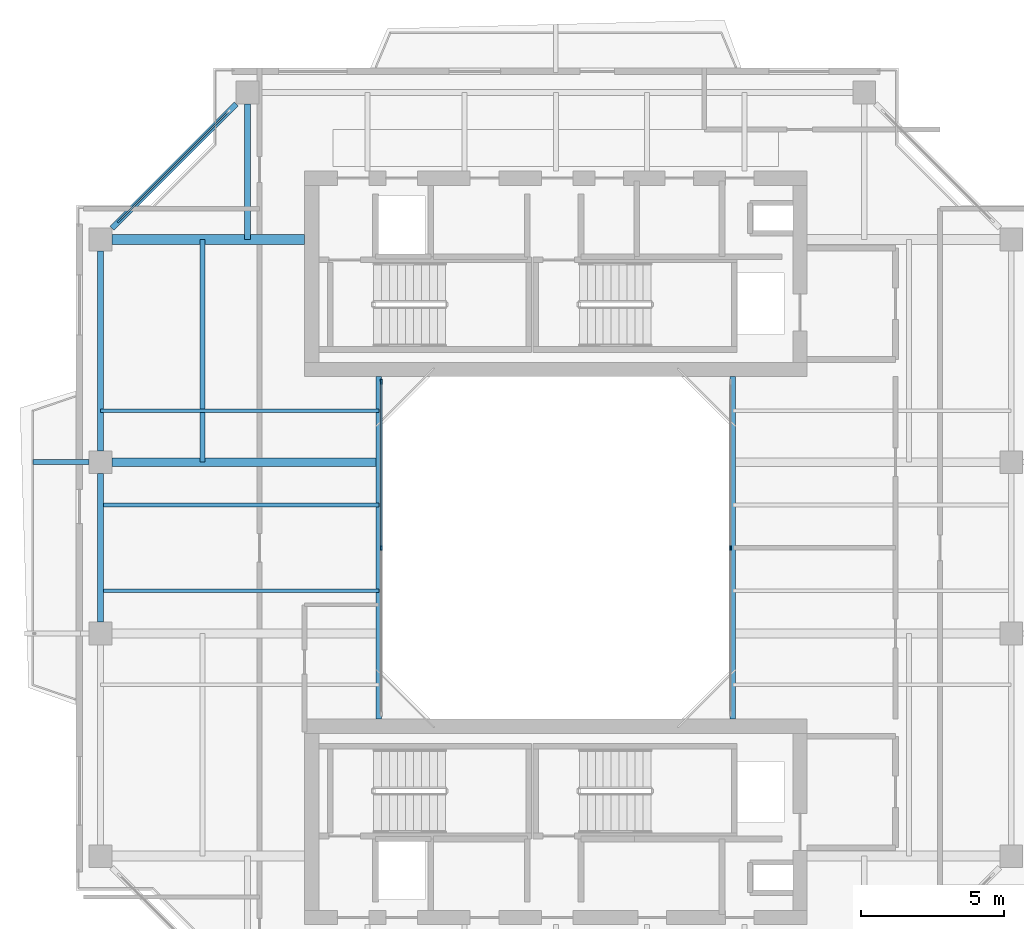
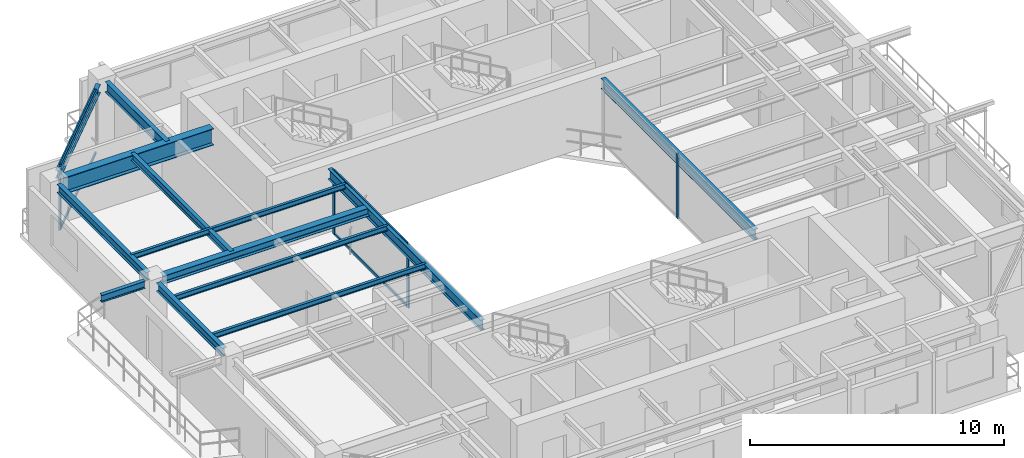
# One storey, part 5 of 15: 13 beams, 8 members, 3 elements without a shape of their own.
"""IFC4 building model written with IfcOpenShell, lengths in metres."""

from ifc_helpers import new_model, si_unit, direction, frame, origin, origin_2d, place, context, subcontext, project, spatial, rectangle, i_section, extrude, source, transform, mapped, material, layer, layer_set, material_profile, profile_set, type_object, element, aggregate, save


model = new_model("IFC4")

# Units and contexts
model_context = context("Model", 3, precision=1e-05, world=origin(), true_north=direction((0.0, 1.0)))
body_context = subcontext(model_context, "Body", "Model", "MODEL_VIEW")
ifc_project = project(units=[si_unit("LENGTHUNIT", "METRE"), si_unit("AREAUNIT", "SQUARE_METRE"), si_unit("VOLUMEUNIT", "CUBIC_METRE"), si_unit("PLANEANGLEUNIT", "RADIAN"), si_unit("MASSUNIT", "GRAM", prefix="KILO"), si_unit("THERMODYNAMICTEMPERATUREUNIT", "KELVIN"), si_unit("POWERUNIT", "WATT")], contexts=[model_context])

# Site, building, storey
site_placement = place(None, origin())
site = spatial("IfcSite", under=ifc_project, at=site_placement, CompositionType="ELEMENT")
building_placement = place(site_placement, origin())
building = spatial("IfcBuilding", under=site, at=building_placement, Name="Qiaomeng Ring Towers", CompositionType="ELEMENT")
storey_placement = place(building_placement, frame((0.0, 0.0, 226.25)))
storey = spatial("IfcBuildingStorey", under=building, at=storey_placement, Name="L66", CompositionType="ELEMENT", Elevation=226.25)

# Beams
ifc_material_1 = material(Name="Steel Q355B", Category="steel")
ifc_material_profile_1 = material_profile(ifc_material_1, i_section(OverallWidth=0.199951171875, OverallDepth=0.5, WebThickness=0.010009765625, FlangeThickness=0.01611328125, FilletRadius=0.02001953125, at=origin_2d()), Name="HN 500x200x10x16")
ifc_profile_set_1 = profile_set([ifc_material_profile_1], Name="Steel Q355B")
beam_type_1 = type_object("IfcBeamType", Name="STR-BM-HN500", PredefinedType="BEAM", material=ifc_profile_set_1)
shared_shape_1 = source(origin(), body_context, "Body", "SweptSolid", [
    extrude(i_section(OverallWidth=0.199951171875, OverallDepth=0.5, WebThickness=0.010009765625, FlangeThickness=0.01611328125, FilletRadius=0.02001953125, at=origin_2d()), origin(), (0.0, 0.0, 1.0), 12.0),
])
for number, where, z_axis, x_axis, name in (
    (1, (12.800048828125, 17.0, 2.820068359375), (0.0, 1.0, 0.0), (-1.0, 0.0, 0.0), "L66 beam STR-BM-L66-WELL-W"),
    (2, (25.199951171875, 17.0, 2.820068359375), (0.0, 1.0, 0.0), (-1.0, 0.0, 0.0), "L66 beam STR-BM-L66-WELL-E"),
):
    element("IfcBeam", number, at=place(storey_placement, frame(where, z_axis=z_axis, x_axis=x_axis)), inside=storey, type_object=beam_type_1, Name=name, PredefinedType="BEAM", context=body_context, shape_type="MappedRepresentation", body=[
        mapped(shared_shape_1, transform((0.0, 0.0, 0.0), x_axis=(1.0, 0.0, 0.0), y_axis=(0.0, 1.0, 0.0), z_axis=(0.0, 0.0, 1.0), scale=1.0)),
    ])
ifc_material_profile_2 = material_profile(ifc_material_1, i_section(OverallWidth=0.198974609375, OverallDepth=0.39599609375, WebThickness=0.007080078125, FlangeThickness=0.010986328125, FilletRadius=0.01611328125, at=origin_2d()), Name="HN 396x199x7x11")
ifc_profile_set_2 = profile_set([ifc_material_profile_2], Name="Steel Q355B")
beam_type_2 = type_object("IfcBeamType", Name="STR-BM-HN396", PredefinedType="SPANDREL", material=ifc_profile_set_2)
shared_shape_2 = source(origin(), body_context, "Body", "SweptSolid", [
    extrude(i_section(OverallWidth=0.198974609375, OverallDepth=0.39599609375, WebThickness=0.007080078125, FlangeThickness=0.010986328125, FilletRadius=0.01611328125, at=origin_2d()), origin(), (0.0, 0.0, 1.0), 6.154052734375),
])
beam_1_placement = place(storey_placement, frame((7.80078125, 38.55078125, 2.8720703125), z_axis=(-0.707106781187, -0.707106781187, 0.0), x_axis=(0.707106781187, -0.707106781187, 0.0)))
element("IfcBeam", 3, at=beam_1_placement, inside=storey, type_object=beam_type_2, Name="L66 beam STR-SP-L66-T1-N1-W4", PredefinedType="SPANDREL", context=body_context, shape_type="MappedRepresentation", body=[
    mapped(shared_shape_2, transform((0.0, 0.0, 0.0), x_axis=(1.0, 0.0, 0.0), y_axis=(0.0, 1.0, 0.0), z_axis=(0.0, 0.0, 1.0), scale=1.0)),
])
shared_shape_3 = source(origin(), body_context, "Body", "SweptSolid", [
    extrude(i_section(OverallWidth=0.198974609375, OverallDepth=0.39599609375, WebThickness=0.007080078125, FlangeThickness=0.010986328125, FilletRadius=0.01611328125, at=origin_2d()), origin(), (0.0, 0.0, 1.0), 7.001953125),
])
beam_2_placement = place(storey_placement, frame((3.050048828125, 33.40087890625, 2.8720703125), z_axis=(0.0, -1.0, 0.0), x_axis=(1.0, 0.0, 0.0)))
element("IfcBeam", 4, at=beam_2_placement, inside=storey, type_object=beam_type_2, Name="L66 beam STR-SP-L66-T1-W4-W3", PredefinedType="SPANDREL", context=body_context, shape_type="MappedRepresentation", body=[
    mapped(shared_shape_3, transform((0.0, 0.0, 0.0), x_axis=(1.0, 0.0, 0.0), y_axis=(0.0, 1.0, 0.0), z_axis=(0.0, 0.0, 1.0), scale=1.0)),
])
shared_shape_4 = source(origin(), body_context, "Body", "SweptSolid", [
    extrude(i_section(OverallWidth=0.198974609375, OverallDepth=0.39599609375, WebThickness=0.007080078125, FlangeThickness=0.010986328125, FilletRadius=0.01611328125, at=origin_2d()), origin(), (0.0, 0.0, 1.0), 5.2021484375),
])
beam_3_placement = place(storey_placement, frame((3.050048828125, 25.60107421875, 2.8720703125), z_axis=(0.0, -1.0, 0.0), x_axis=(1.0, 0.0, 0.0)))
element("IfcBeam", 5, at=beam_3_placement, inside=storey, type_object=beam_type_2, Name="L66 beam STR-SP-L66-T1-W3-W2", PredefinedType="SPANDREL", context=body_context, shape_type="MappedRepresentation", body=[
    mapped(shared_shape_4, transform((0.0, 0.0, 0.0), x_axis=(1.0, 0.0, 0.0), y_axis=(0.0, 1.0, 0.0), z_axis=(0.0, 0.0, 1.0), scale=1.0)),
])
ifc_material_2 = material(Name="Steel Q390GJC", Category="steel")
ifc_material_profile_3 = material_profile(ifc_material_2, i_section(OverallWidth=0.35009765625, OverallDepth=0.800048828125, WebThickness=0.01611328125, FlangeThickness=0.028076171875, at=origin_2d()), Name="WH 800x350x16x28")
ifc_profile_set_3 = profile_set([ifc_material_profile_3], Name="Steel Q390GJC")
beam_type_3 = type_object("IfcBeamType", Name="STR-BM-WH800", PredefinedType="BEAM", material=ifc_profile_set_3)
shared_shape_5 = source(origin(), body_context, "Body", "SweptSolid", [
    extrude(i_section(OverallWidth=0.35009765625, OverallDepth=0.800048828125, WebThickness=0.01611328125, FlangeThickness=0.028076171875, at=origin_2d()), origin(), (0.0, 0.0, 1.0), 6.7509765625),
])
beam_4_placement = place(storey_placement, frame((3.448974609375, 33.800048828125, 2.669921875), z_axis=(1.0, 0.0, 0.0), x_axis=(0.0, 1.0, 0.0)))
element("IfcBeam", 6, at=beam_4_placement, inside=storey, type_object=beam_type_3, Name="L66 beam STR-BM-L66-T1-RAD-W4", PredefinedType="BEAM", context=body_context, shape_type="MappedRepresentation", body=[
    mapped(shared_shape_5, transform((0.0, 0.0, 0.0), x_axis=(1.0, 0.0, 0.0), y_axis=(0.0, 1.0, 0.0), z_axis=(0.0, 0.0, 1.0), scale=1.0)),
])
ifc_material_profile_4 = material_profile(ifc_material_1, i_section(OverallWidth=0.300048828125, OverallDepth=0.389892578125, WebThickness=0.010009765625, FlangeThickness=0.01611328125, FilletRadius=0.02197265625, at=origin_2d()), Name="HM 390x300x10x16")
ifc_profile_set_4 = profile_set([ifc_material_profile_4], Name="Steel Q355B")
beam_type_4 = type_object("IfcBeamType", Name="STR-BM-HM390", PredefinedType="BEAM", material=ifc_profile_set_4)
shared_shape_6 = source(origin(), body_context, "Body", "SweptSolid", [
    extrude(i_section(OverallWidth=0.300048828125, OverallDepth=0.389892578125, WebThickness=0.010009765625, FlangeThickness=0.01611328125, FilletRadius=0.02197265625, at=origin_2d()), origin(), (0.0, 0.0, 1.0), 9.35107421875),
])
beam_5_placement = place(storey_placement, frame((3.448974609375, 26.0, 2.875), z_axis=(1.0, 0.0, 0.0), x_axis=(0.0, 1.0, 0.0)))
element("IfcBeam", 7, at=beam_5_placement, inside=storey, type_object=beam_type_4, Name="L66 beam STR-BM-L66-T1-RAD-W3", PredefinedType="BEAM", context=body_context, shape_type="MappedRepresentation", body=[
    mapped(shared_shape_6, transform((0.0, 0.0, 0.0), x_axis=(1.0, 0.0, 0.0), y_axis=(0.0, 1.0, 0.0), z_axis=(0.0, 0.0, 1.0), scale=1.0)),
])
ifc_material_profile_5 = material_profile(ifc_material_1, i_section(OverallWidth=0.175048828125, OverallDepth=0.35009765625, WebThickness=0.007080078125, FlangeThickness=0.010986328125, FilletRadius=0.013916015625, at=origin_2d()), Name="HN 350x175x7x11")
ifc_profile_set_5 = profile_set([ifc_material_profile_5], Name="Steel Q355B")
beam_type_5 = type_object("IfcBeamType", Name="STR-BM-HN350", PredefinedType="JOIST", material=ifc_profile_set_5)
shared_shape_7 = source(origin(), body_context, "Body", "SweptSolid", [
    extrude(i_section(OverallWidth=0.175048828125, OverallDepth=0.35009765625, WebThickness=0.007080078125, FlangeThickness=0.010986328125, FilletRadius=0.013916015625, at=origin_2d()), origin(), (0.0, 0.0, 1.0), 1.970947265625),
])
beam_6_placement = place(storey_placement, frame((0.679931640625, 26.0, 2.89501953125), z_axis=(1.0, 0.0, 0.0), x_axis=(0.0, 1.0, 0.0)))
element("IfcBeam", 8, at=beam_6_placement, inside=storey, type_object=beam_type_5, Name="L66 beam STR-BALBM-L66-W3", PredefinedType="JOIST", context=body_context, shape_type="MappedRepresentation", body=[
    mapped(shared_shape_7, transform((0.0, 0.0, 0.0), x_axis=(1.0, 0.0, 0.0), y_axis=(0.0, 1.0, 0.0), z_axis=(0.0, 0.0, 1.0), scale=1.0)),
])
ifc_material_profile_6 = material_profile(ifc_material_1, i_section(OverallWidth=0.125, OverallDepth=0.25, WebThickness=0.006103515625, FlangeThickness=0.009033203125, FilletRadius=0.011962890625, at=origin_2d()), Name="HN 250x125x6x9")
ifc_profile_set_6 = profile_set([ifc_material_profile_6], Name="Steel Q355B")
beam_type_6 = type_object("IfcBeamType", Name="STR-BM-HN250", PredefinedType="JOIST", material=ifc_profile_set_6)
shared_shape_8 = source(origin(), body_context, "Body", "SweptSolid", [
    extrude(i_section(OverallWidth=0.125, OverallDepth=0.25, WebThickness=0.006103515625, FlangeThickness=0.009033203125, FilletRadius=0.011962890625, at=origin_2d()), origin(), (0.0, 0.0, 1.0), 9.75),
])
for number, where, z_axis, x_axis, name in (
    (9, (3.050048828125, 21.5, 2.945068359375), (1.0, 0.0, 0.0), (0.0, 1.0, 0.0), "L66 beam STR-JST-L66-T1W-2"),
    (10, (3.050048828125, 24.5, 2.945068359375), (1.0, 0.0, 0.0), (0.0, 1.0, 0.0), "L66 beam STR-JST-L66-T1W-3"),
    (11, (3.050048828125, 27.800048828125, 2.945068359375), (1.0, 0.0, 0.0), (0.0, 1.0, 0.0), "L66 beam STR-JST-L66-T1W-4"),
):
    element("IfcBeam", number, at=place(storey_placement, frame(where, z_axis=z_axis, x_axis=x_axis)), inside=storey, type_object=beam_type_6, Name=name, PredefinedType="JOIST", context=body_context, shape_type="MappedRepresentation", body=[
        mapped(shared_shape_8, transform((0.0, 0.0, 0.0), x_axis=(1.0, 0.0, 0.0), y_axis=(0.0, 1.0, 0.0), z_axis=(0.0, 0.0, 1.0), scale=1.0)),
    ])
shared_shape_9 = source(origin(), body_context, "Body", "SweptSolid", [
    extrude(i_section(OverallWidth=0.175048828125, OverallDepth=0.35009765625, WebThickness=0.007080078125, FlangeThickness=0.010986328125, FilletRadius=0.013916015625, at=origin_2d()), origin(), (0.0, 0.0, 1.0), 7.800048828125),
])
beam_7_placement = place(storey_placement, frame((6.625, 26.0, 2.89501953125), z_axis=(0.0, 1.0, 0.0), x_axis=(-1.0, 0.0, 0.0)))
element("IfcBeam", 12, at=beam_7_placement, inside=storey, type_object=beam_type_5, Name="L66 beam STR-JST-L66-T1C-WN", PredefinedType="JOIST", context=body_context, shape_type="MappedRepresentation", body=[
    mapped(shared_shape_9, transform((0.0, 0.0, 0.0), x_axis=(1.0, 0.0, 0.0), y_axis=(0.0, 1.0, 0.0), z_axis=(0.0, 0.0, 1.0), scale=1.0)),
])
ifc_material_profile_7 = material_profile(ifc_material_1, i_section(OverallWidth=0.198974609375, OverallDepth=0.49609375, WebThickness=0.009033203125, FlangeThickness=0.013916015625, FilletRadius=0.01806640625, at=origin_2d()), Name="HN 496x199x9x14")
ifc_profile_set_7 = profile_set([ifc_material_profile_7], Name="Steel Q355B")
beam_type_7 = type_object("IfcBeamType", Name="STR-BM-HN496", PredefinedType="BEAM", material=ifc_profile_set_7)
shared_shape_10 = source(origin(), body_context, "Body", "SweptSolid", [
    extrude(i_section(OverallWidth=0.198974609375, OverallDepth=0.49609375, WebThickness=0.009033203125, FlangeThickness=0.013916015625, FilletRadius=0.01806640625, at=origin_2d()), origin(), (0.0, 0.0, 1.0), 4.7509765625),
])
beam_8_placement = place(storey_placement, frame((8.199951171875, 38.551025390625, 2.822021484375), z_axis=(0.0, -1.0, 0.0), x_axis=(1.0, 0.0, 0.0)))
element("IfcBeam", 13, at=beam_8_placement, inside=storey, type_object=beam_type_7, Name="L66 beam STR-BM-L66-T1-RAD-N1", PredefinedType="BEAM", context=body_context, shape_type="MappedRepresentation", body=[
    mapped(shared_shape_10, transform((0.0, 0.0, 0.0), x_axis=(1.0, 0.0, 0.0), y_axis=(0.0, 1.0, 0.0), z_axis=(0.0, 0.0, 1.0), scale=1.0)),
])

# Curtain wall, members
ifc_material_3 = material(Name="Fluorocarbon dark-grey aluminium", Category="aluminium")
ifc_layer_1 = layer(ifc_material_3, 0.139892578125, Name="Fluorocarbon dark-grey aluminium")
ifc_layer_set_1 = layer_set([ifc_layer_1], Name="Fluorocarbon dark-grey aluminium")
curtain_wall_type_1 = type_object("IfcCurtainWallType", Name="ARC-CW-4", PredefinedType="NOTDEFINED", material=ifc_layer_set_1)
curtain_wall_1_placement = place(storey_placement, origin())
curtain_wall_1 = element("IfcCurtainWall", 14, at=curtain_wall_1_placement, inside=storey, type_object=curtain_wall_type_1, Name="L66 Curtain Wall CW4", PredefinedType="NOTDEFINED")
ifc_material_profile_8 = material_profile(ifc_material_3, rectangle(XDim=0.06494140625, YDim=0.159912109375, at=origin_2d()), Name="ALU MULL 65x160")
ifc_profile_set_8 = profile_set([ifc_material_profile_8], Name="Fluorocarbon dark-grey aluminium")
member_type_1 = type_object("IfcMemberType", Name="ARC-CWM-140", PredefinedType="MULLION", material=ifc_profile_set_8)
shared_shape_11 = source(origin(), body_context, "Body", "SweptSolid", [
    extrude(rectangle(XDim=0.06494140625, YDim=0.159912109375, at=origin_2d()), origin(), (0.0, 0.0, 1.0), 3.070068359375),
])
member_1_placement = place(storey_placement, frame((12.8798828125, 23.0, 0.0), z_axis=(0.0, 0.0, 1.0), x_axis=(-1.0, 0.0, 0.0)))
member_1 = element("IfcMember", 15, at=member_1_placement, type_object=member_type_1, Name="CW4 mullion 2", PredefinedType="MULLION", context=body_context, shape_type="MappedRepresentation", body=[
    mapped(shared_shape_11, transform((0.0, 0.0, 0.0), x_axis=(1.0, 0.0, 0.0), y_axis=(0.0, 1.0, 0.0), z_axis=(0.0, 0.0, 1.0), scale=1.0)),
])
member_2_placement = place(storey_placement, frame((12.8798828125, 28.8173828125, 0.0), z_axis=(0.0, 0.0, 1.0), x_axis=(-1.0, 0.0, 0.0)))
member_2 = element("IfcMember", 16, at=member_2_placement, type_object=member_type_1, Name="CW4 mullion 3", PredefinedType="MULLION", context=body_context, shape_type="MappedRepresentation", body=[
    mapped(shared_shape_11, transform((0.0, 0.0, 0.0), x_axis=(1.0, 0.0, 0.0), y_axis=(0.0, 1.0, 0.0), z_axis=(0.0, 0.0, 1.0), scale=1.0)),
])

# Curtain wall, member
curtain_wall_2_placement = place(storey_placement, origin())
curtain_wall_2 = element("IfcCurtainWall", 17, at=curtain_wall_2_placement, inside=storey, type_object=curtain_wall_type_1, Name="L66 Curtain Wall CW4", PredefinedType="NOTDEFINED")
member_3_placement = place(storey_placement, frame((25.1201171875, 23.0, 0.0), z_axis=(0.0, 0.0, 1.0), x_axis=(-1.0, 0.0, 0.0)))
member_3 = element("IfcMember", 18, at=member_3_placement, type_object=member_type_1, Name="CW4 mullion 2", PredefinedType="MULLION", context=body_context, shape_type="MappedRepresentation", body=[
    mapped(shared_shape_11, transform((0.0, 0.0, 0.0), x_axis=(1.0, 0.0, 0.0), y_axis=(0.0, 1.0, 0.0), z_axis=(0.0, 0.0, 1.0), scale=1.0)),
])
aggregate(curtain_wall_2, [member_3])

# Member
ifc_material_profile_9 = material_profile(ifc_material_3, rectangle(XDim=0.06494140625, YDim=0.1298828125, at=origin_2d()), Name="ALU TRAN 65x130")
ifc_profile_set_9 = profile_set([ifc_material_profile_9], Name="Fluorocarbon dark-grey aluminium")
member_type_2 = type_object("IfcMemberType", Name="ARC-CWT-120", PredefinedType="USERDEFINED", material=ifc_profile_set_9)
shared_shape_12 = source(origin(), body_context, "Body", "SweptSolid", [
    extrude(rectangle(XDim=0.06494140625, YDim=0.1298828125, at=origin_2d()), origin(), (0.0, 0.0, 1.0), 5.75244140625),
])
member_4_placement = place(storey_placement, frame((12.8798828125, 23.032470703125, 0.032470703125), z_axis=(0.0, 1.0, 0.0), x_axis=(-1.0, 0.0, 0.0)))
member_4 = element("IfcMember", 19, at=member_4_placement, type_object=member_type_2, Name="CW4 transom 2.1", ObjectType="TRANSOM", PredefinedType="USERDEFINED", context=body_context, shape_type="MappedRepresentation", body=[
    mapped(shared_shape_12, transform((0.0, 0.0, 0.0), x_axis=(1.0, 0.0, 0.0), y_axis=(0.0, 1.0, 0.0), z_axis=(0.0, 0.0, 1.0), scale=1.0)),
])

member_5_placement = place(storey_placement, frame((12.8798828125, 23.032470703125, 3.03759765625), z_axis=(0.0, 1.0, 0.0), x_axis=(-1.0, 0.0, 0.0)))
member_5 = element("IfcMember", 20, at=member_5_placement, type_object=member_type_2, Name="CW4 transom 2.2", ObjectType="TRANSOM", PredefinedType="USERDEFINED", context=body_context, shape_type="MappedRepresentation", body=[
    mapped(shared_shape_12, transform((0.0, 0.0, 0.0), x_axis=(1.0, 0.0, 0.0), y_axis=(0.0, 1.0, 0.0), z_axis=(0.0, 0.0, 1.0), scale=1.0)),
])

aggregate(curtain_wall_1, [member_1, member_2, member_4, member_5])

# Curtain wall, members
ifc_layer_2 = layer(ifc_material_3, 0.14990234375, Name="Fluorocarbon dark-grey aluminium")
ifc_layer_set_2 = layer_set([ifc_layer_2], Name="Fluorocarbon dark-grey aluminium")
curtain_wall_type_2 = type_object("IfcCurtainWallType", Name="ARC-CW-3", PredefinedType="NOTDEFINED", material=ifc_layer_set_2)
curtain_wall_3_placement = place(storey_placement, origin())
curtain_wall_3 = element("IfcCurtainWall", 21, at=curtain_wall_3_placement, inside=storey, type_object=curtain_wall_type_2, Name="L66 Curtain Wall CW3", PredefinedType="NOTDEFINED")
ifc_material_profile_10 = material_profile(ifc_material_3, rectangle(XDim=0.070068359375, YDim=0.179931640625, at=origin_2d()), Name="ALU MULL 70x180")
ifc_profile_set_10 = profile_set([ifc_material_profile_10], Name="Fluorocarbon dark-grey aluminium")
member_type_3 = type_object("IfcMemberType", Name="ARC-CWM-160", PredefinedType="MULLION", material=ifc_profile_set_10)
shared_shape_13 = source(origin(), body_context, "Body", "SweptSolid", [
    extrude(rectangle(XDim=0.070068359375, YDim=0.179931640625, at=origin_2d()), origin(), (0.0, 0.0, 1.0), 3.070068359375),
])
member_6_placement = place(storey_placement, frame((3.71484375, 34.46484375, 0.0), z_axis=(0.0, 0.0, 1.0), x_axis=(0.707106781187, -0.707106781187, 0.0)))
member_6 = element("IfcMember", 22, at=member_6_placement, type_object=member_type_3, Name="CW3 mullion 2", PredefinedType="MULLION", context=body_context, shape_type="MappedRepresentation", body=[
    mapped(shared_shape_13, transform((0.0, 0.0, 0.0), x_axis=(1.0, 0.0, 0.0), y_axis=(0.0, 1.0, 0.0), z_axis=(0.0, 0.0, 1.0), scale=1.0)),
])
shared_shape_14 = source(origin(), body_context, "Body", "SweptSolid", [
    extrude(rectangle(XDim=0.06494140625, YDim=0.1298828125, at=origin_2d()), origin(), (0.0, 0.0, 1.0), 5.3330078125),
])
member_7_placement = place(storey_placement, frame((7.510498046875, 38.260498046875, 0.032470703125), z_axis=(-0.707106781187, -0.707106781187, 0.0), x_axis=(0.707106781187, -0.707106781187, 0.0)))
member_7 = element("IfcMember", 23, at=member_7_placement, type_object=member_type_2, Name="CW3 transom 1.1", ObjectType="TRANSOM", PredefinedType="USERDEFINED", context=body_context, shape_type="MappedRepresentation", body=[
    mapped(shared_shape_14, transform((0.0, 0.0, 0.0), x_axis=(1.0, 0.0, 0.0), y_axis=(0.0, 1.0, 0.0), z_axis=(0.0, 0.0, 1.0), scale=1.0)),
])
member_8_placement = place(storey_placement, frame((7.510498046875, 38.260498046875, 3.03759765625), z_axis=(-0.707106781187, -0.707106781187, 0.0), x_axis=(0.707106781187, -0.707106781187, 0.0)))
member_8 = element("IfcMember", 24, at=member_8_placement, type_object=member_type_2, Name="CW3 transom 1.2", ObjectType="TRANSOM", PredefinedType="USERDEFINED", context=body_context, shape_type="MappedRepresentation", body=[
    mapped(shared_shape_14, transform((0.0, 0.0, 0.0), x_axis=(1.0, 0.0, 0.0), y_axis=(0.0, 1.0, 0.0), z_axis=(0.0, 0.0, 1.0), scale=1.0)),
])
aggregate(curtain_wall_3, [member_6, member_7, member_8])

save(model, "model.ifc")
